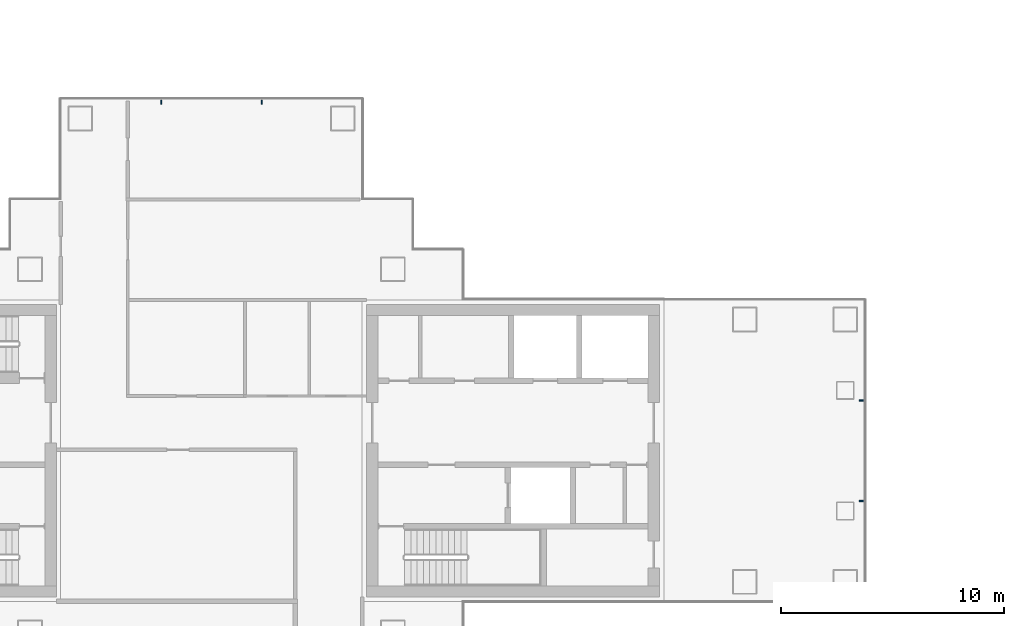
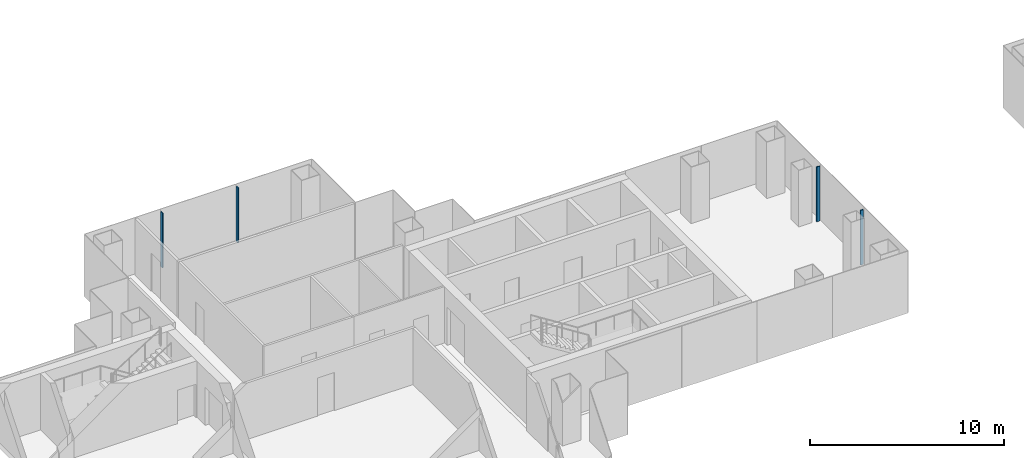
# One storey, part 4 of 16: 4 members, 2 elements without a shape of their own.
"""IFC4 building model written with IfcOpenShell, lengths in metres."""

import ifcopenshell
import ifcopenshell.guid

model = None  # the IFC model being written
_history = None  # IfcOwnerHistory: only IFC2X3 demands one
_inside = {}  # id of a spatial element -> (the spatial element, [elements in it])
_under = {}  # id of a project, library or spatial element -> (it, [spatial elements below it])
_declared = {}  # id of a project -> (the project, [libraries it declares])
_typed = {}  # id of a type object -> (the type object, [elements of that type])
_made_of = {}  # id of a material, layer set ... -> (it, [elements and type objects made of it])


def new_model(schema):
    """Start an empty IFC model of exactly this schema.

    Asked for "IFC4X3", IfcOpenShell would pick the latest addendum, in which some entities
    have other attributes; the version numbers below select the first issue.
    IFC2X3 requires an IfcOwnerHistory on every rooted entity: one is made here for all.
    """
    global model, _history
    if schema == "IFC4X3":
        model = ifcopenshell.file(schema_version=(4, 3, 0, 0))
    else:
        model = ifcopenshell.file(schema=schema)
    _inside.clear()
    _under.clear()
    _declared.clear()
    _typed.clear()
    _made_of.clear()
    _history = None
    if model.schema == "IFC2X3":
        org = make("IfcOrganization", Name="unknown")
        user = make(
            "IfcPersonAndOrganization",
            ThePerson=make("IfcPerson", FamilyName="unknown"),
            TheOrganization=org,
        )
        app = make(
            "IfcApplication",
            ApplicationDeveloper=org,
            Version="unknown",
            ApplicationFullName="unknown",
            ApplicationIdentifier="unknown",
        )
        _history = make(
            "IfcOwnerHistory",
            OwningUser=user,
            OwningApplication=app,
            ChangeAction="ADDED",
            CreationDate=0,
        )
    return model


def make(cls, **values):
    """One entity of the class cls with the attributes given. An attribute that is None is left unset."""
    return model.create_entity(
        cls, **{name: value for name, value in values.items() if value is not None}
    )


def rooted(cls, **values):
    """An entity with a GlobalId (a new one), such as an element, a storey or a relation."""
    return make(cls, GlobalId=ifcopenshell.guid.new(), OwnerHistory=_history, **values)


def si_unit(unit_type, name, prefix=None):
    """IfcSIUnit, for example si_unit("LENGTHUNIT", "METRE", prefix="MILLI")."""
    return make("IfcSIUnit", UnitType=unit_type, Prefix=prefix, Name=name)


def assignment(units):
    """IfcUnitAssignment: the units of a project."""
    return None if units is None else make("IfcUnitAssignment", Units=units)


def point(xyz):
    """IfcCartesianPoint."""
    return None if xyz is None else make("IfcCartesianPoint", Coordinates=xyz)


def direction(xyz):
    """IfcDirection."""
    return None if xyz is None else make("IfcDirection", DirectionRatios=xyz)


def frame(location, z_axis=None, x_axis=None):
    """IfcAxis2Placement3D, a coordinate frame: its origin and axes. An axis left out is left unset."""
    return make(
        "IfcAxis2Placement3D",
        Location=point(location),
        Axis=direction(z_axis),
        RefDirection=direction(x_axis),
    )


def frame_2d(location, x_axis=None):
    """IfcAxis2Placement2D, a coordinate frame in the plane: its origin and x axis."""
    return make(
        "IfcAxis2Placement2D", Location=point(location), RefDirection=direction(x_axis)
    )


def origin():
    """The frame at (0, 0, 0) with its axes left unset."""
    return frame((0.0, 0.0, 0.0))


def origin_2d():
    """The frame at (0, 0) in the plane with its x axis left unset."""
    return frame_2d((0.0, 0.0))


def place(relative_to, where):
    """IfcLocalPlacement: puts the frame where relative to a parent placement (None: the world)."""
    return make(
        "IfcLocalPlacement", PlacementRelTo=relative_to, RelativePlacement=where
    )


def context(
    kind, dimensions, precision=None, world=None, true_north=None, identifier=None
):
    """IfcGeometricRepresentationContext, for example the 3D "Model" context."""
    return make(
        "IfcGeometricRepresentationContext",
        ContextIdentifier=identifier,
        ContextType=kind,
        CoordinateSpaceDimension=dimensions,
        Precision=precision,
        WorldCoordinateSystem=world,
        TrueNorth=true_north,
    )


def subcontext(parent, identifier, kind, view, scale=None):
    """IfcGeometricRepresentationSubContext, for example "Body" below "Model"."""
    return make(
        "IfcGeometricRepresentationSubContext",
        ContextIdentifier=identifier,
        ContextType=kind,
        ParentContext=parent,
        TargetScale=scale,
        TargetView=view,
    )


def project(units=None, contexts=None):
    """IfcProject with its units and contexts."""
    return rooted(
        "IfcProject",
        Name="project",
        RepresentationContexts=contexts,
        UnitsInContext=assignment(units),
    )


def spatial(cls, under=None, at=None, **own):
    """A site, building, storey or space (cls), placed at a placement, below another one or the project."""
    s = rooted(cls, ObjectPlacement=at, **own)
    if under is not None:
        _under.setdefault(under.id(), (under, []))[1].append(s)
    return s


def profile(cls, at=None, kind="AREA", **sizes):
    """A parametric profile (cls). Its sizes go by their IFC names, for example OverallWidth=200.0."""
    return make(cls, ProfileType=kind, Position=at, **sizes)


def rectangle(**sizes):
    """IfcRectangleProfileDef."""
    return profile("IfcRectangleProfileDef", **sizes)


def extrude(swept, where, along, depth):
    """IfcExtrudedAreaSolid: the profile swept, set in the frame where, extruded along a direction by depth."""
    return make(
        "IfcExtrudedAreaSolid",
        SweptArea=swept,
        Position=where,
        ExtrudedDirection=direction(along),
        Depth=depth,
    )


def shape(context_of_items, identifier, shape_type, items):
    """IfcShapeRepresentation: the items that make up one representation, for example the "Body"."""
    return make(
        "IfcShapeRepresentation",
        ContextOfItems=context_of_items,
        RepresentationIdentifier=identifier,
        RepresentationType=shape_type,
        Items=items,
    )


def material(Name=None, Category=None):
    """IfcMaterial."""
    return make("IfcMaterial", Name=Name, Category=Category)


def layer(
    of_material, thickness, ventilated=None, Name=None, Category=None, Priority=None
):
    """IfcMaterialLayer: one layer of a wall or slab, of a material (None: an air gap)."""
    return make(
        "IfcMaterialLayer",
        Material=of_material,
        LayerThickness=thickness,
        IsVentilated=ventilated,
        Name=Name,
        Category=Category,
        Priority=Priority,
    )


def layer_set(layers, Name=None):
    """IfcMaterialLayerSet."""
    return make("IfcMaterialLayerSet", MaterialLayers=layers, LayerSetName=Name)


def material_profile(
    of_material, cross_section, Name=None, Category=None, Priority=None
):
    """IfcMaterialProfile: a cross section and its material."""
    return make(
        "IfcMaterialProfile",
        Name=Name,
        Material=of_material,
        Profile=cross_section,
        Priority=Priority,
        Category=Category,
    )


def profile_set(profiles, Name=None, composite=None):
    """IfcMaterialProfileSet."""
    return make(
        "IfcMaterialProfileSet",
        Name=Name,
        MaterialProfiles=profiles,
        CompositeProfile=composite,
    )


def made_of(thing, what):
    """Note that an element or type object is made of a material, layer set ...; save() writes the relation."""
    if what is not None:
        _made_of.setdefault(what.id(), (what, []))[1].append(thing)
    return thing


def type_object(cls, material=None, **own):
    """A type object (cls), such as IfcWallType, which elements share."""
    return made_of(rooted(cls, **own), material)


def element(
    cls,
    number,
    at=None,
    inside=None,
    cuts=None,
    type_object=None,
    material=None,
    context=None,
    identifier="Body",
    shape_type=None,
    held_by="IfcProductDefinitionShape",
    body=None,
    shapes=None,
    **own,
):
    """One element of the class cls, such as IfcWall. Its Tag is "e" and its number.

    at: its placement. inside: the storey or other place that contains it. cuts: it is an
    opening in that element (IfcRelVoidsElement). A single representation is given by context,
    identifier, shape_type and body (its items); several are given by shapes. held_by: the class
    of the entity that holds the representations. save() writes the other relations.
    """
    e = rooted(cls, Tag="e%d" % number, ObjectPlacement=at, **own)
    if body is not None:
        shapes = [shape(context, identifier, shape_type, body)]
    if shapes is not None:
        e.Representation = make(held_by, Representations=shapes)
    if inside is not None:
        _inside.setdefault(inside.id(), (inside, []))[1].append(e)
    if cuts is not None:
        rooted(
            "IfcRelVoidsElement", RelatingBuildingElement=cuts, RelatedOpeningElement=e
        )
    if type_object is not None:
        _typed.setdefault(type_object.id(), (type_object, []))[1].append(e)
    return made_of(e, material)


def aggregate(whole, parts):
    """IfcRelAggregates: a whole, such as a stair, and the parts it consists of."""
    return rooted("IfcRelAggregates", RelatingObject=whole, RelatedObjects=parts)


def save(model, path):
    """Write the relations noted so far, then the file.

    IfcRelAggregates (storeys below a building ...), IfcRelContainedInSpatialStructure (elements
    in a storey), IfcRelDefinesByType, IfcRelAssociatesMaterial and IfcRelDeclares: one each for
    every whole, place, type object, material and project.
    """
    for whole, parts in _under.values():
        aggregate(whole, parts)
    for where, things in _inside.values():
        rooted(
            "IfcRelContainedInSpatialStructure",
            RelatedElements=things,
            RelatingStructure=where,
        )
    for kind, things in _typed.values():
        rooted("IfcRelDefinesByType", RelatedObjects=things, RelatingType=kind)
    for what, things in _made_of.values():
        rooted("IfcRelAssociatesMaterial", RelatedObjects=things, RelatingMaterial=what)
    for by, libraries in _declared.values():
        rooted("IfcRelDeclares", RelatingContext=by, RelatedDefinitions=libraries)
    model.write(path)


model = new_model("IFC4")

# Units and contexts
model_context = context("Model", 3, precision=1e-05, world=origin(), true_north=direction((0.0, 1.0)))
body_context = subcontext(model_context, "Body", "Model", "MODEL_VIEW")
ifc_project = project(units=[si_unit("LENGTHUNIT", "METRE"), si_unit("AREAUNIT", "SQUARE_METRE"), si_unit("VOLUMEUNIT", "CUBIC_METRE"), si_unit("PLANEANGLEUNIT", "RADIAN"), si_unit("MASSUNIT", "GRAM", prefix="KILO")], contexts=[model_context])

# Site, building, storey
site_placement = place(None, origin())
site = spatial("IfcSite", under=ifc_project, at=site_placement, CompositionType="ELEMENT")
building_placement = place(site_placement, origin())
building = spatial("IfcBuilding", under=site, at=building_placement, Name="Shamsa Quay Exchange Towers", CompositionType="ELEMENT")
storey_placement = place(building_placement, frame((0.0, 0.0, 138.89990234375)))
storey = spatial("IfcBuildingStorey", under=building, at=storey_placement, Name="L32", CompositionType="ELEMENT", Elevation=138.89990234375)

# Curtain wall, members
ifc_material = material(Name="Aluminium EN AW-6063 T6, black anodised", Category="aluminium")
ifc_layer = layer(ifc_material, 0.280029296875)
ifc_layer_set = layer_set([ifc_layer], Name="CW-1 UNITISED VISION GLASS")
curtain_wall_type = type_object("IfcCurtainWallType", Name="CW-1 UNITISED VISION GLASS", PredefinedType="NOTDEFINED", material=ifc_layer_set)
curtain_wall_1_placement = place(storey_placement, origin())
curtain_wall_1 = element("IfcCurtainWall", 1, at=curtain_wall_1_placement, inside=storey, type_object=curtain_wall_type, Name="CW1 T1-END-U+ L32", PredefinedType="NOTDEFINED")
ifc_material_profile = material_profile(ifc_material, rectangle(XDim=0.179931640625, YDim=0.06005859375, at=origin_2d()), Name="MU60x180")
ifc_profile_set = profile_set([ifc_material_profile], Name="Aluminium EN AW-6063 T6, black anodised")
member_type = type_object("IfcMemberType", Name="CW1 MULLION 60x180", PredefinedType="MULLION", material=ifc_profile_set)
member_1_placement = place(storey_placement, frame((-4.64990234375, -2.25, 0.0), z_axis=(0.0, 0.0, 1.0), x_axis=(-1.0, 0.0, 0.0)))
member_1 = element("IfcMember", 2, at=member_1_placement, type_object=member_type, Name="CW1 mullion", PredefinedType="MULLION", context=body_context, shape_type="SweptSolid", body=[
    extrude(rectangle(XDim=0.179931640625, YDim=0.06005859375, at=origin_2d()), origin(), (0.0, 0.0, 1.0), 3.4501953125),
])
member_2_placement = place(storey_placement, frame((-4.64990234375, 2.25, 0.0), z_axis=(0.0, 0.0, 1.0), x_axis=(-1.0, 0.0, 0.0)))
member_2 = element("IfcMember", 3, at=member_2_placement, type_object=member_type, Name="CW1 mullion", PredefinedType="MULLION", context=body_context, shape_type="SweptSolid", body=[
    extrude(rectangle(XDim=0.179931640625, YDim=0.06005859375, at=origin_2d()), origin(), (0.0, 0.0, 1.0), 3.4501953125),
])
aggregate(curtain_wall_1, [member_1, member_2])

curtain_wall_2_placement = place(storey_placement, origin())
curtain_wall_2 = element("IfcCurtainWall", 4, at=curtain_wall_2_placement, inside=storey, type_object=curtain_wall_type, Name="CW1 T1-END-V+ L32", PredefinedType="NOTDEFINED")
member_3_placement = place(storey_placement, frame((-31.5, 15.60009765625, 0.0), z_axis=(0.0, 0.0, 1.0), x_axis=(0.0, -1.0, 0.0)))
member_3 = element("IfcMember", 5, at=member_3_placement, type_object=member_type, Name="CW1 mullion", PredefinedType="MULLION", context=body_context, shape_type="SweptSolid", body=[
    extrude(rectangle(XDim=0.179931640625, YDim=0.06005859375, at=origin_2d()), origin(), (0.0, 0.0, 1.0), 3.4501953125),
])
member_4_placement = place(storey_placement, frame((-36.0, 15.60009765625, 0.0), z_axis=(0.0, 0.0, 1.0), x_axis=(0.0, -1.0, 0.0)))
member_4 = element("IfcMember", 6, at=member_4_placement, type_object=member_type, Name="CW1 mullion", PredefinedType="MULLION", context=body_context, shape_type="SweptSolid", body=[
    extrude(rectangle(XDim=0.179931640625, YDim=0.06005859375, at=origin_2d()), origin(), (0.0, 0.0, 1.0), 3.4501953125),
])
aggregate(curtain_wall_2, [member_3, member_4])

save(model, "model.ifc")
